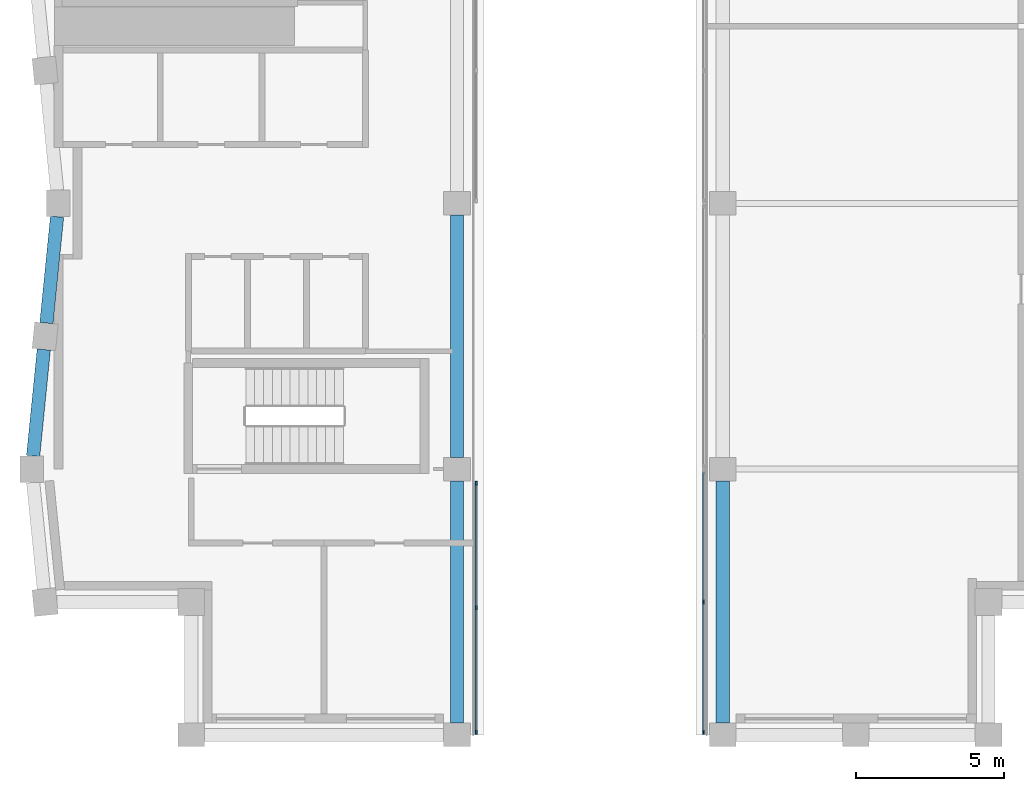
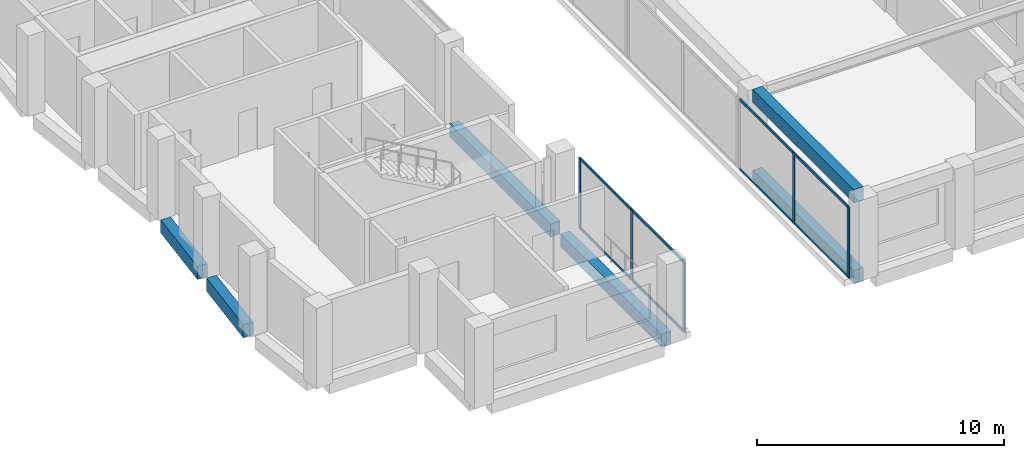
# One storey, part 2 of 9: 13 members, 6 beams, 2 elements without a shape of their own.
"""IFC4 building model written with IfcOpenShell, lengths in metres."""

from ifc_helpers import new_model, si_unit, direction, frame, origin, origin_2d, place, context, subcontext, project, spatial, rectangle, extrude, material, material_profile, profile_set, type_object, element, aggregate, save


model = new_model("IFC4")

# Units and contexts
model_context = context("Model", 3, precision=1e-05, world=origin(), true_north=direction((0.0, 1.0)))
body_context = subcontext(model_context, "Body", "Model", "MODEL_VIEW")
ifc_project = project(units=[si_unit("LENGTHUNIT", "METRE"), si_unit("AREAUNIT", "SQUARE_METRE"), si_unit("VOLUMEUNIT", "CUBIC_METRE"), si_unit("PLANEANGLEUNIT", "RADIAN"), si_unit("MASSUNIT", "GRAM", prefix="KILO")], contexts=[model_context])

# Site, building, storey
site_placement = place(None, origin())
site = spatial("IfcSite", under=ifc_project, at=site_placement, CompositionType="ELEMENT")
building_placement = place(site_placement, origin())
building = spatial("IfcBuilding", under=site, at=building_placement, Name="Brondeck Convention Tower", CompositionType="ELEMENT")
storey_placement = place(building_placement, frame((0.0, 0.0, 294.800048828125)))
storey = spatial("IfcBuildingStorey", under=building, at=storey_placement, Name="L73", CompositionType="ELEMENT", Elevation=294.800048828125)

# Curtain wall, members
ifc_material_1 = material(Name="Aluminium, bronze anodised", Category="aluminium")
curtain_wall_type = type_object("IfcCurtainWallType", Name="Crown screen curtain wall", PredefinedType="NOTDEFINED", material=ifc_material_1)
curtain_wall_1_placement = place(storey_placement, origin())
curtain_wall_1 = element("IfcCurtainWall", 1, at=curtain_wall_1_placement, inside=storey, type_object=curtain_wall_type, Name="ENV-CW4-L73-K1-SLOT-W-00-2", PredefinedType="NOTDEFINED")
ifc_material_profile_1 = material_profile(ifc_material_1, rectangle(XDim=0.06005859375, YDim=0.139892578125, at=origin_2d()), Name="CW4 mullion")
ifc_profile_set_1 = profile_set([ifc_material_profile_1], Name="Aluminium, bronze anodised")
member_type_1 = type_object("IfcMemberType", Name="CW4 mullion", PredefinedType="MULLION", material=ifc_profile_set_1)
member_1_placement = place(storey_placement, frame((14.14990234375, 35.52001953125, 0.0), z_axis=(0.0, 0.0, 1.0), x_axis=(1.0, 0.0, 0.0)))
member_1 = element("IfcMember", 2, at=member_1_placement, type_object=member_type_1, Name="CW4 mullion 1", PredefinedType="MULLION", context=body_context, shape_type="SweptSolid", body=[
    extrude(rectangle(XDim=0.06005859375, YDim=0.139892578125, at=origin_2d()), origin(), (0.0, 0.0, 1.0), 3.5),
])
member_2_placement = place(storey_placement, frame((14.14990234375, 31.304931640625, 0.0), z_axis=(0.0, 0.0, 1.0), x_axis=(1.0, 0.0, 0.0)))
member_2 = element("IfcMember", 3, at=member_2_placement, type_object=member_type_1, Name="CW4 mullion 2", PredefinedType="MULLION", context=body_context, shape_type="SweptSolid", body=[
    extrude(rectangle(XDim=0.06005859375, YDim=0.139892578125, at=origin_2d()), origin(), (0.0, 0.0, 1.0), 3.5),
])
member_3_placement = place(storey_placement, frame((14.14990234375, 27.090087890625, 0.0), z_axis=(0.0, 0.0, 1.0), x_axis=(1.0, 0.0, 0.0)))
member_3 = element("IfcMember", 4, at=member_3_placement, type_object=member_type_1, Name="CW4 mullion 3", PredefinedType="MULLION", context=body_context, shape_type="SweptSolid", body=[
    extrude(rectangle(XDim=0.06005859375, YDim=0.139892578125, at=origin_2d()), origin(), (0.0, 0.0, 1.0), 3.5),
])

curtain_wall_2_placement = place(storey_placement, origin())
curtain_wall_2 = element("IfcCurtainWall", 5, at=curtain_wall_2_placement, inside=storey, type_object=curtain_wall_type, Name="ENV-CW4-L73-K2-SLOT-E-07-1", PredefinedType="NOTDEFINED")
member_4_placement = place(storey_placement, frame((21.85009765625, 27.090087890625, 0.0), z_axis=(0.0, 0.0, 1.0), x_axis=(-1.0, 0.0, 0.0)))
member_4 = element("IfcMember", 6, at=member_4_placement, type_object=member_type_1, Name="CW4 mullion 1", PredefinedType="MULLION", context=body_context, shape_type="SweptSolid", body=[
    extrude(rectangle(XDim=0.06005859375, YDim=0.139892578125, at=origin_2d()), origin(), (0.0, 0.0, 1.0), 3.5),
])
member_5_placement = place(storey_placement, frame((21.85009765625, 31.5, 0.0), z_axis=(0.0, 0.0, 1.0), x_axis=(-1.0, 0.0, 0.0)))
member_5 = element("IfcMember", 7, at=member_5_placement, type_object=member_type_1, Name="CW4 mullion 2", PredefinedType="MULLION", context=body_context, shape_type="SweptSolid", body=[
    extrude(rectangle(XDim=0.06005859375, YDim=0.139892578125, at=origin_2d()), origin(), (0.0, 0.0, 1.0), 3.5),
])

# Member
ifc_material_profile_2 = material_profile(ifc_material_1, rectangle(XDim=0.06005859375, YDim=0.1201171875, at=origin_2d()), Name="CW4 transom")
ifc_profile_set_2 = profile_set([ifc_material_profile_2], Name="Aluminium, bronze anodised")
member_type_2 = type_object("IfcMemberType", Name="CW4 transom", PredefinedType="USERDEFINED", material=ifc_profile_set_2)
member_6_placement = place(storey_placement, frame((14.14990234375, 35.489990234375, 0.030029296875), z_axis=(0.0, -1.0, 0.0), x_axis=(1.0, 0.0, 0.0)))
member_6 = element("IfcMember", 8, at=member_6_placement, type_object=member_type_2, Name="CW4 transom 1.1", ObjectType="TRANSOM", PredefinedType="USERDEFINED", context=body_context, shape_type="SweptSolid", body=[
    extrude(rectangle(XDim=0.06005859375, YDim=0.1201171875, at=origin_2d()), origin(), (0.0, 0.0, 1.0), 4.155029296875),
])

member_7_placement = place(storey_placement, frame((14.14990234375, 35.489990234375, 3.469970703125), z_axis=(0.0, -1.0, 0.0), x_axis=(1.0, 0.0, 0.0)))
member_7 = element("IfcMember", 9, at=member_7_placement, type_object=member_type_2, Name="CW4 transom 1.2", ObjectType="TRANSOM", PredefinedType="USERDEFINED", context=body_context, shape_type="SweptSolid", body=[
    extrude(rectangle(XDim=0.06005859375, YDim=0.1201171875, at=origin_2d()), origin(), (0.0, 0.0, 1.0), 4.155029296875),
])

member_8_placement = place(storey_placement, frame((14.14990234375, 31.27490234375, 0.030029296875), z_axis=(0.0, -1.0, 0.0), x_axis=(1.0, 0.0, 0.0)))
member_8 = element("IfcMember", 10, at=member_8_placement, type_object=member_type_2, Name="CW4 transom 2.1", ObjectType="TRANSOM", PredefinedType="USERDEFINED", context=body_context, shape_type="SweptSolid", body=[
    extrude(rectangle(XDim=0.06005859375, YDim=0.1201171875, at=origin_2d()), origin(), (0.0, 0.0, 1.0), 4.15478515625),
])

member_9_placement = place(storey_placement, frame((14.14990234375, 31.27490234375, 3.469970703125), z_axis=(0.0, -1.0, 0.0), x_axis=(1.0, 0.0, 0.0)))
member_9 = element("IfcMember", 11, at=member_9_placement, type_object=member_type_2, Name="CW4 transom 2.2", ObjectType="TRANSOM", PredefinedType="USERDEFINED", context=body_context, shape_type="SweptSolid", body=[
    extrude(rectangle(XDim=0.06005859375, YDim=0.1201171875, at=origin_2d()), origin(), (0.0, 0.0, 1.0), 4.15478515625),
])

aggregate(curtain_wall_1, [member_1, member_2, member_3, member_6, member_7, member_8, member_9])

member_10_placement = place(storey_placement, frame((21.85009765625, 27.1201171875, 0.030029296875), z_axis=(0.0, 1.0, 0.0), x_axis=(-1.0, 0.0, 0.0)))
member_10 = element("IfcMember", 12, at=member_10_placement, type_object=member_type_2, Name="CW4 transom 1.1", ObjectType="TRANSOM", PredefinedType="USERDEFINED", context=body_context, shape_type="SweptSolid", body=[
    extrude(rectangle(XDim=0.06005859375, YDim=0.1201171875, at=origin_2d()), origin(), (0.0, 0.0, 1.0), 4.349853515625),
])

member_11_placement = place(storey_placement, frame((21.85009765625, 27.1201171875, 3.469970703125), z_axis=(0.0, 1.0, 0.0), x_axis=(-1.0, 0.0, 0.0)))
member_11 = element("IfcMember", 13, at=member_11_placement, type_object=member_type_2, Name="CW4 transom 1.2", ObjectType="TRANSOM", PredefinedType="USERDEFINED", context=body_context, shape_type="SweptSolid", body=[
    extrude(rectangle(XDim=0.06005859375, YDim=0.1201171875, at=origin_2d()), origin(), (0.0, 0.0, 1.0), 4.349853515625),
])

member_12_placement = place(storey_placement, frame((21.85009765625, 31.530029296875, 0.030029296875), z_axis=(0.0, 1.0, 0.0), x_axis=(-1.0, 0.0, 0.0)))
member_12 = element("IfcMember", 14, at=member_12_placement, type_object=member_type_2, Name="CW4 transom 2.1", ObjectType="TRANSOM", PredefinedType="USERDEFINED", context=body_context, shape_type="SweptSolid", body=[
    extrude(rectangle(XDim=0.06005859375, YDim=0.1201171875, at=origin_2d()), origin(), (0.0, 0.0, 1.0), 4.349853515625),
])

member_13_placement = place(storey_placement, frame((21.85009765625, 31.530029296875, 3.469970703125), z_axis=(0.0, 1.0, 0.0), x_axis=(-1.0, 0.0, 0.0)))
member_13 = element("IfcMember", 15, at=member_13_placement, type_object=member_type_2, Name="CW4 transom 2.2", ObjectType="TRANSOM", PredefinedType="USERDEFINED", context=body_context, shape_type="SweptSolid", body=[
    extrude(rectangle(XDim=0.06005859375, YDim=0.1201171875, at=origin_2d()), origin(), (0.0, 0.0, 1.0), 4.349853515625),
])

aggregate(curtain_wall_2, [member_4, member_5, member_10, member_11, member_12, member_13])

# Beams
ifc_material_2 = material(Name="Concrete C50/60", Category="concrete")
ifc_material_profile_3 = material_profile(ifc_material_2, rectangle(XDim=0.449951171875, YDim=0.64990234375, at=origin_2d()), Name="Precast spandrel 450x650 Concrete C50/60")
ifc_profile_set_3 = profile_set([ifc_material_profile_3], Name="Concrete C50/60")
beam_type = type_object("IfcBeamType", Name="Precast spandrel 450x650 Concrete C50/60", PredefinedType="SPANDREL", material=ifc_profile_set_3)
for number, where, z_axis, x_axis, name in (
    (16, (13.5, 27.39990234375, -0.324951171875), (0.0, 1.0, 0.0), (-1.0, 0.0, 0.0), "STR-SP-L73K1-002"),
    (17, (13.5, 36.39990234375, -0.324951171875), (0.0, 1.0, 0.0), (-1.0, 0.0, 0.0), "STR-SP-L73K1-003"),
):
    element("IfcBeam", number, at=place(storey_placement, frame(where, z_axis=z_axis, x_axis=x_axis)), inside=storey, type_object=beam_type, Name=name, PredefinedType="SPANDREL", context=body_context, shape_type="SweptSolid", body=[
        extrude(rectangle(XDim=0.449951171875, YDim=0.64990234375, at=origin_2d()), origin(), (0.0, 0.0, 1.0), 8.2001953125),
    ])
for number, where, z_axis, x_axis, name in (
    (18, (-0.044921875, 44.550048828125, -0.324951171875), (-0.099537103649, -0.995033851182, 0.0), (0.995033851182, -0.099537103649, 0.0), "STR-SP-L73K1-013"),
    (19, (-0.494873046875, 40.05224609375, -0.324951171875), (-0.099470334057, -0.995040528141, 0.0), (0.995040528141, -0.099470334057, 0.0), "STR-SP-L73K1-014"),
):
    element("IfcBeam", number, at=place(storey_placement, frame(where, z_axis=z_axis, x_axis=x_axis)), inside=storey, type_object=beam_type, Name=name, PredefinedType="SPANDREL", context=body_context, shape_type="SweptSolid", body=[
        extrude(rectangle(XDim=0.449951171875, YDim=0.64990234375, at=origin_2d()), origin(), (0.0, 0.0, 1.0), 3.620361328125),
    ])
for number, where, z_axis, x_axis, name in (
    (20, (22.5, 35.60009765625, -0.324951171875), (0.0, -1.0, 0.0), (1.0, 0.0, 0.0), "STR-SP-L73K2-017"),
    (21, (22.5, 35.60009765625, 3.675048828125), (0.0, -1.0, 0.0), (1.0, 0.0, 0.0), "STR-SP-L73RP2-017"),
):
    element("IfcBeam", number, at=place(storey_placement, frame(where, z_axis=z_axis, x_axis=x_axis)), inside=storey, type_object=beam_type, Name=name, PredefinedType="SPANDREL", context=body_context, shape_type="SweptSolid", body=[
        extrude(rectangle(XDim=0.449951171875, YDim=0.64990234375, at=origin_2d()), origin(), (0.0, 0.0, 1.0), 8.2001953125),
    ])

save(model, "model.ifc")
